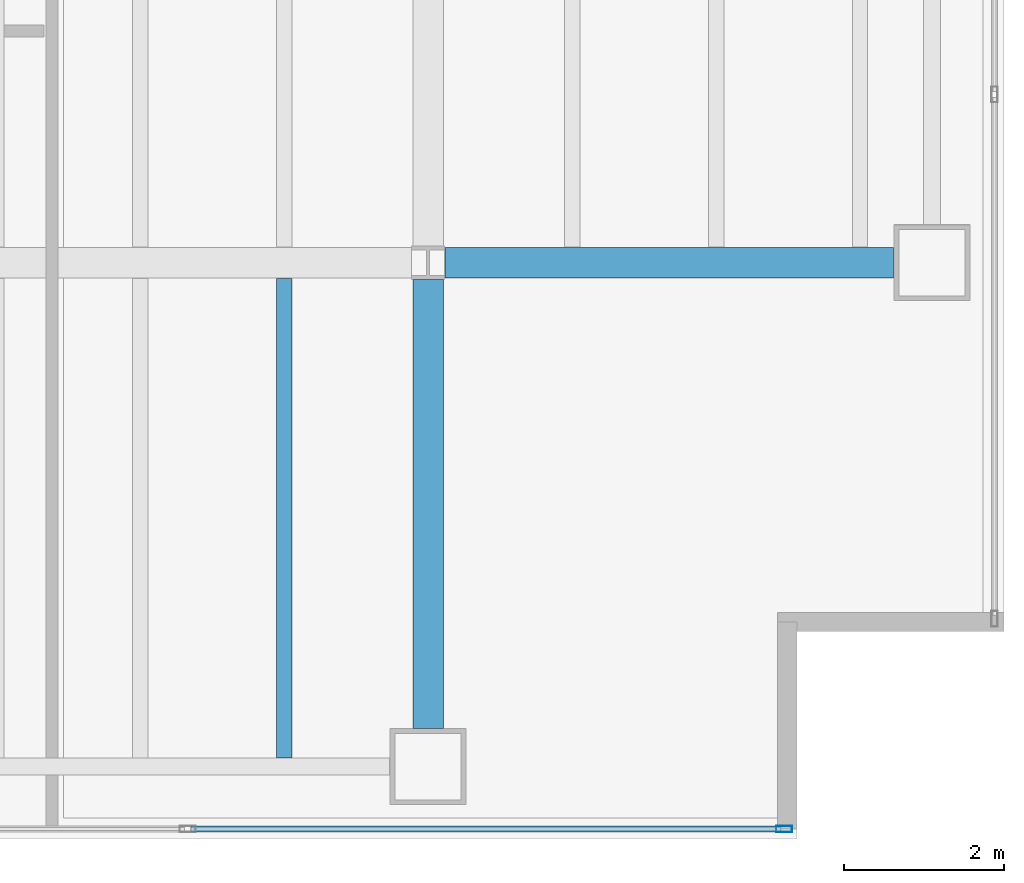
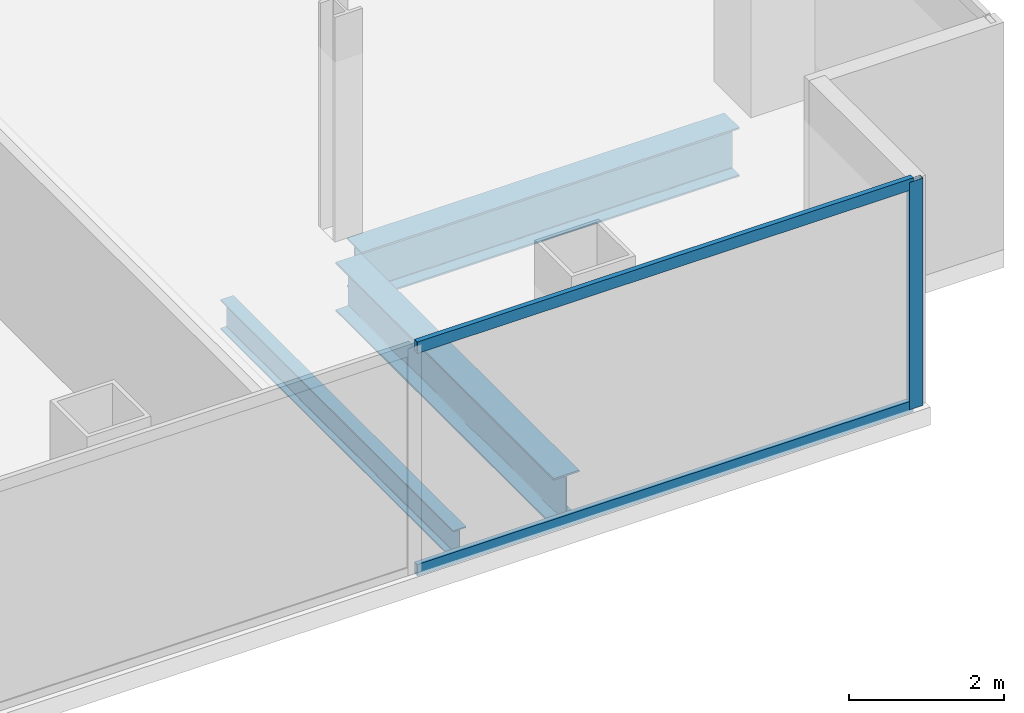
# One storey, part 8 of 24: 3 beams, 3 members, 1 element without a shape of its own.
"""IFC4 building model written with IfcOpenShell, lengths in metres."""

from ifc_helpers import new_model, si_unit, direction, frame, origin, origin_2d, place, context, subcontext, project, spatial, hollow_rectangle, i_section, extrude, material, material_profile, profile_set, type_object, element, aggregate, save


model = new_model("IFC4")

# Units and contexts
model_context = context("Model", 3, precision=1e-05, world=origin(), true_north=direction((0.0, 1.0)))
body_context = subcontext(model_context, "Body", "Model", "MODEL_VIEW")
ifc_project = project(units=[si_unit("LENGTHUNIT", "METRE"), si_unit("AREAUNIT", "SQUARE_METRE"), si_unit("VOLUMEUNIT", "CUBIC_METRE"), si_unit("PLANEANGLEUNIT", "RADIAN"), si_unit("MASSUNIT", "GRAM", prefix="KILO")], contexts=[model_context])

# Site, building, storey
site_placement = place(None, origin())
site = spatial("IfcSite", under=ifc_project, at=site_placement, CompositionType="ELEMENT")
building_placement = place(site_placement, origin())
building = spatial("IfcBuilding", under=site, at=building_placement, Name="Cobrela Telecom Tower", CompositionType="ELEMENT")
storey_placement = place(building_placement, frame((0.0, 0.0, 85.050048828125)))
storey = spatial("IfcBuildingStorey", under=building, at=storey_placement, Name="L21", CompositionType="ELEMENT", Elevation=85.050048828125)

# Beams
ifc_material_1 = material(Name="Steel ASTM A992 Grade 50", Category="steel")
ifc_material_profile_1 = material_profile(ifc_material_1, i_section(OverallWidth=0.381103515625, OverallDepth=0.77197265625, WebThickness=0.0166015625, FlangeThickness=0.027099609375, FilletRadius=0.01904296875, at=origin_2d()), Name="W30X173")
ifc_profile_set_1 = profile_set([ifc_material_profile_1], Name="Steel ASTM A992 Grade 50")
beam_type_1 = type_object("IfcBeamType", Name="BM-GIRD-04", PredefinedType="USERDEFINED", material=ifc_profile_set_1)
for number, where, z_axis, x_axis, name in (
    (1, (43.409423828125, 7.199951171875, -0.666015625), (1.0, 0.0, 0.0), (0.0, 1.0, 0.0), "L21 Primary Girder X12"),
    (2, (43.199951171875, 1.3798828125, -0.666015625), (0.0, 1.0, 0.0), (-1.0, 0.0, 0.0), "L21 Primary Girder Y53"),
):
    element("IfcBeam", number, at=place(storey_placement, frame(where, z_axis=z_axis, x_axis=x_axis)), inside=storey, type_object=beam_type_1, Name=name, ObjectType="GIRDER", PredefinedType="USERDEFINED", context=body_context, shape_type="SweptSolid", body=[
        extrude(i_section(OverallWidth=0.381103515625, OverallDepth=0.77197265625, WebThickness=0.0166015625, FlangeThickness=0.027099609375, FilletRadius=0.01904296875, at=origin_2d()), origin(), (0.0, 0.0, 1.0), 5.610595703125),
    ])
ifc_material_profile_2 = material_profile(ifc_material_1, i_section(OverallWidth=0.193115234375, OverallDepth=0.467041015625, WebThickness=0.011474609375, FlangeThickness=0.01904296875, FilletRadius=0.012939453125, at=origin_2d()), Name="W18X65")
ifc_profile_set_2 = profile_set([ifc_material_profile_2], Name="Steel ASTM A992 Grade 50")
beam_type_2 = type_object("IfcBeamType", Name="BM-JOIST-03", PredefinedType="JOIST", material=ifc_profile_set_2)
beam_placement = place(storey_placement, frame((41.39990234375, 1.011474609375, -0.513427734375), z_axis=(0.0, 1.0, 0.0), x_axis=(-1.0, 0.0, 0.0)))
element("IfcBeam", 3, at=beam_placement, inside=storey, type_object=beam_type_2, Name="L21 Secondary Composite Floor Beam J56", PredefinedType="JOIST", context=body_context, shape_type="SweptSolid", body=[
    extrude(i_section(OverallWidth=0.193115234375, OverallDepth=0.467041015625, WebThickness=0.011474609375, FlangeThickness=0.01904296875, FilletRadius=0.012939453125, at=origin_2d()), origin(), (0.0, 0.0, 1.0), 5.992919921875),
])

# Curtain wall, members
ifc_material_2 = material(Name="Anodized Bronze Aluminium 6063-T6", Category="aluminium")
curtain_wall_type = type_object("IfcCurtainWallType", Name="CW-SYS-DATA", PredefinedType="USERDEFINED", material=ifc_material_2)
curtain_wall_placement = place(storey_placement, origin())
curtain_wall = element("IfcCurtainWall", 4, at=curtain_wall_placement, inside=storey, type_object=curtain_wall_type, Name="L21 Unitised Bronze Curtain Wall 17", ObjectType="UNITISED CURTAIN WALL", PredefinedType="USERDEFINED")
ifc_material_profile_3 = material_profile(ifc_material_2, hollow_rectangle(XDim=0.080078125, YDim=0.199951171875, WallThickness=0.00390625, at=origin_2d()), Name="ALU 80x200x4")
ifc_profile_set_3 = profile_set([ifc_material_profile_3], Name="Anodized Bronze Aluminium 6063-T6")
member_type_1 = type_object("IfcMemberType", Name="CW-SYS-DATA-MUL", PredefinedType="MULLION", material=ifc_profile_set_3)
member_1_placement = place(storey_placement, frame((47.64990234375, 0.1201171875, 0.0), z_axis=(0.0, 0.0, 1.0), x_axis=(0.0, -1.0, 0.0)))
member_1 = element("IfcMember", 5, at=member_1_placement, type_object=member_type_1, Name="CW-DATA mullion 1", PredefinedType="MULLION", context=body_context, shape_type="SweptSolid", body=[
    extrude(hollow_rectangle(XDim=0.080078125, YDim=0.199951171875, WallThickness=0.00390625, at=origin_2d()), origin(), (0.0, 0.0, 1.0), 3.570068359375),
])
ifc_material_profile_4 = material_profile(ifc_material_2, hollow_rectangle(XDim=0.074951171875, YDim=0.179931640625, WallThickness=0.00390625, at=origin_2d()), Name="ALU 75x180x4")
ifc_profile_set_4 = profile_set([ifc_material_profile_4], Name="Anodized Bronze Aluminium 6063-T6")
member_type_2 = type_object("IfcMemberType", Name="CW-SYS-DATA-TRN", PredefinedType="USERDEFINED", material=ifc_profile_set_4)
member_2_placement = place(storey_placement, frame((47.610107421875, 0.1201171875, 0.037353515625), z_axis=(-1.0, 0.0, 0.0), x_axis=(0.0, -1.0, 0.0)))
member_2 = element("IfcMember", 6, at=member_2_placement, type_object=member_type_2, Name="CW-DATA transom 1.1", ObjectType="TRANSOM", PredefinedType="USERDEFINED", context=body_context, shape_type="SweptSolid", body=[
    extrude(hollow_rectangle(XDim=0.074951171875, YDim=0.179931640625, WallThickness=0.00390625, at=origin_2d()), origin(), (0.0, 0.0, 1.0), 7.376708984375),
])
member_3_placement = place(storey_placement, frame((47.610107421875, 0.1201171875, 3.532470703125), z_axis=(-1.0, 0.0, 0.0), x_axis=(0.0, -1.0, 0.0)))
member_3 = element("IfcMember", 7, at=member_3_placement, type_object=member_type_2, Name="CW-DATA transom 1.2", ObjectType="TRANSOM", PredefinedType="USERDEFINED", context=body_context, shape_type="SweptSolid", body=[
    extrude(hollow_rectangle(XDim=0.074951171875, YDim=0.179931640625, WallThickness=0.00390625, at=origin_2d()), origin(), (0.0, 0.0, 1.0), 7.376708984375),
])
aggregate(curtain_wall, [member_1, member_2, member_3])

save(model, "model.ifc")
